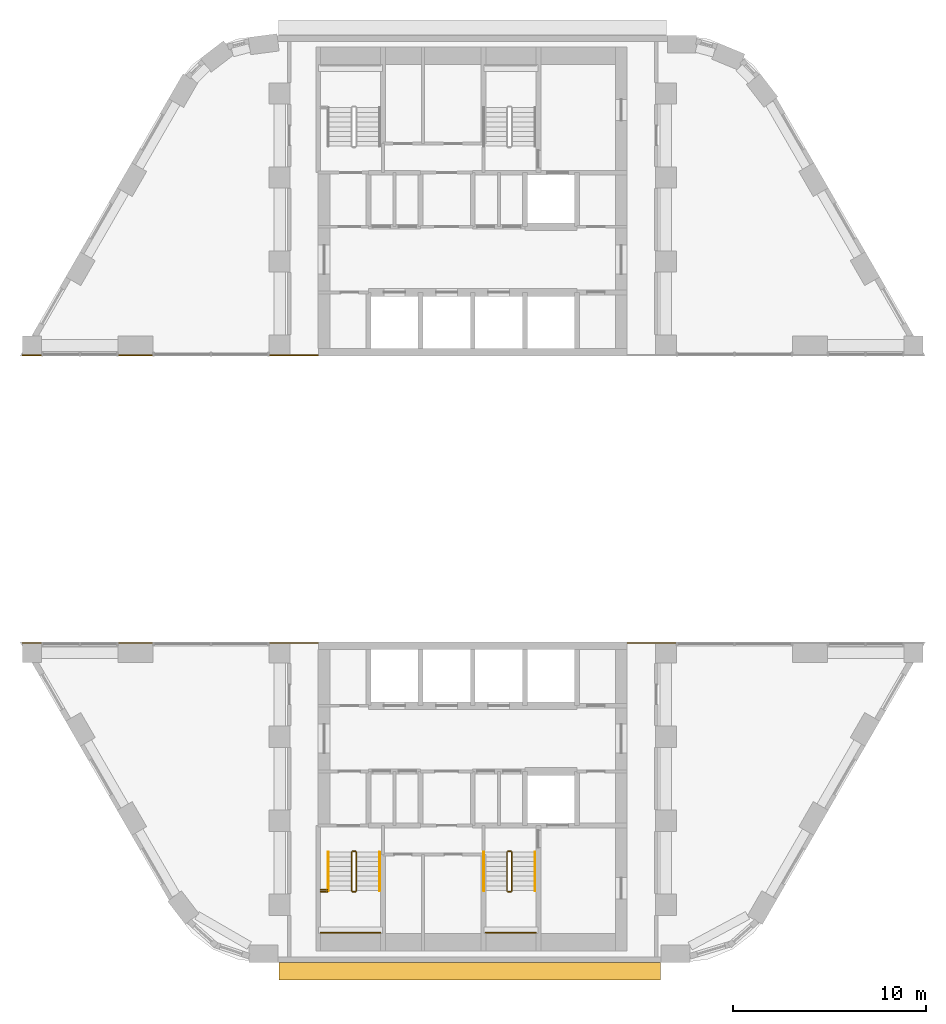
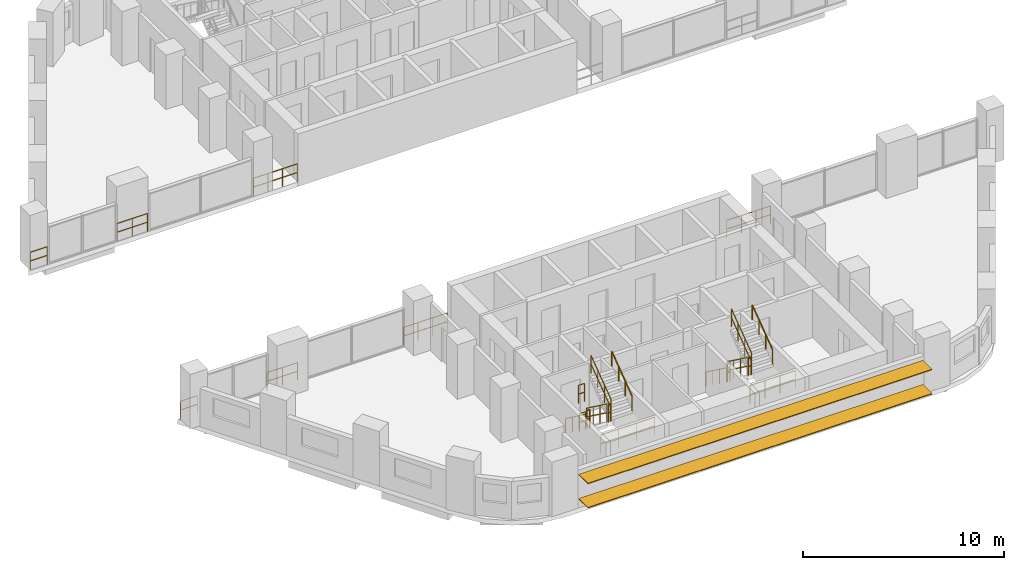
# One storey, part 10 of 11: 23 railings, 2 shading devices.
"""IFC4 building model written with IfcOpenShell, lengths in metres."""

from ifc_helpers import new_model, si_unit, direction, frame, origin, origin_2d, place, context, subcontext, project, spatial, rectangle, circle, extrude, material, material_profile, profile_set, type_object, element, save


model = new_model("IFC4")

# Units and contexts
model_context = context("Model", 3, precision=1e-05, world=origin(), true_north=direction((0.0, 1.0)))
body_context = subcontext(model_context, "Body", "Model", "MODEL_VIEW")
ifc_project = project(units=[si_unit("LENGTHUNIT", "METRE"), si_unit("AREAUNIT", "SQUARE_METRE"), si_unit("VOLUMEUNIT", "CUBIC_METRE"), si_unit("PLANEANGLEUNIT", "RADIAN"), si_unit("MASSUNIT", "GRAM", prefix="KILO")], contexts=[model_context])

# Site, building, storey
site_placement = place(None, origin())
site = spatial("IfcSite", under=ifc_project, at=site_placement, CompositionType="ELEMENT")
building_placement = place(site_placement, origin())
building = spatial("IfcBuilding", under=site, at=building_placement, Name="Nakaniwa Court", CompositionType="ELEMENT")
storey_placement = place(building_placement, frame((0.0, 0.0, 34.800048828125)))
storey = spatial("IfcBuildingStorey", under=building, at=storey_placement, Name="L08", CompositionType="ELEMENT", Elevation=34.800048828125)

# Shading devices
ifc_material_1 = material(Name="Perforated charcoal ceramic louvre blade")
ifc_material_profile = material_profile(ifc_material_1, rectangle(XDim=0.89990234375, YDim=0.050048828125, at=origin_2d()), Name="Perforated ceramic louvre blade")
ifc_profile_set = profile_set([ifc_material_profile], Name="Perforated charcoal ceramic louvre blade")
shading_device_type = type_object("IfcShadingDeviceType", Name="Perforated ceramic louvre blade", PredefinedType="JALOUSIE", material=ifc_profile_set)
for number, where, z_axis, x_axis, name in (
    (1, (69.97119140625, 55.550048828125, 0.550048828125), (1.0, 0.0, 0.0), (0.0, 1.0, 0.0), "L08 perforated ceramic louvre blade w11 1"),
    (2, (69.97119140625, 55.550048828125, 2.014892578125), (1.0, 0.0, 0.0), (0.0, 1.0, 0.0), "L08 perforated ceramic louvre blade w11 2"),
):
    element("IfcShadingDevice", number, at=place(storey_placement, frame(where, z_axis=z_axis, x_axis=x_axis)), inside=storey, type_object=shading_device_type, Name=name, PredefinedType="JALOUSIE", context=body_context, shape_type="SweptSolid", body=[
        extrude(rectangle(XDim=0.89990234375, YDim=0.050048828125, at=origin_2d()), origin(), (0.0, 0.0, 1.0), 19.739990234375),
    ])

# Railings
ifc_material_2 = material(Name="Black powder coated steel guard", Category="steel")
railing_type_1 = type_object("IfcRailingType", Name="Stair guard 1100", PredefinedType="GUARDRAIL", material=ifc_material_2)
railing_1_placement = place(storey_placement, frame((73.72509765625, 61.72509765625, 0.183349609375)))
element("IfcRailing", 3, at=railing_1_placement, inside=storey, type_object=railing_type_1, Name="L08 ST3 stair guard 1", PredefinedType="GUARDRAIL", context=body_context, shape_type="SweptSolid", body=[
    extrude(circle(Radius=0.02392578125, at=origin_2d()), frame((0.0, 0.0, 1.076171875), z_axis=(0.0, -0.806426902644, 0.591333789573), x_axis=(1.0, 0.0, 0.0)), (0.0, 0.0, 1.0), 2.47998046875),
    extrude(circle(Radius=0.02392578125, at=origin_2d()), frame((0.0, 0.0, 0.550048828125), z_axis=(0.0, -0.806426902644, 0.591333789573), x_axis=(1.0, 0.0, 0.0)), (0.0, 0.0, 1.0), 2.47998046875),
    extrude(circle(Radius=0.02099609375, at=origin_2d()), origin(), (0.0, 0.0, 1.0), 1.052001953125),
    extrude(circle(Radius=0.02099609375, at=origin_2d()), frame((0.0, -0.666748046875, 0.48876953125)), (0.0, 0.0, 1.0), 1.052001953125),
    extrude(circle(Radius=0.02099609375, at=origin_2d()), frame((0.0, -1.333251953125, 0.977783203125)), (0.0, 0.0, 1.0), 1.052001953125),
    extrude(circle(Radius=0.02099609375, at=origin_2d()), frame((0.0, -2.0, 1.466552734375)), (0.0, 0.0, 1.0), 1.052001953125),
])
railing_2_placement = place(storey_placement, frame((73.77490234375, 59.675048828125, 1.64990234375)))
element("IfcRailing", 4, at=railing_2_placement, inside=storey, type_object=railing_type_1, Name="L08 ST3 stair guard 2", PredefinedType="GUARDRAIL", context=body_context, shape_type="SweptSolid", body=[
    extrude(circle(Radius=0.02392578125, at=origin_2d()), frame((0.0, 0.0, 1.076171875), z_axis=(1.0, 0.0, 0.0), x_axis=(0.0, 1.0, 0.0)), (0.0, 0.0, 1.0), 0.150146484375),
    extrude(circle(Radius=0.02392578125, at=origin_2d()), frame((0.0, 0.0, 0.550048828125), z_axis=(1.0, 0.0, 0.0), x_axis=(0.0, 1.0, 0.0)), (0.0, 0.0, 1.0), 0.150146484375),
    extrude(circle(Radius=0.02099609375, at=origin_2d()), origin(), (0.0, 0.0, 1.0), 1.052001953125),
    extrude(circle(Radius=0.02099609375, at=origin_2d()), frame((0.150146484375, 0.0, 0.0)), (0.0, 0.0, 1.0), 1.052001953125),
])
railing_3_placement = place(storey_placement, frame((73.97509765625, 59.72509765625, 1.833251953125)))
element("IfcRailing", 5, at=railing_3_placement, inside=storey, type_object=railing_type_1, Name="L08 ST3 stair guard 3", PredefinedType="GUARDRAIL", context=body_context, shape_type="SweptSolid", body=[
    extrude(circle(Radius=0.02392578125, at=origin_2d()), frame((0.0, 0.0, 1.076171875), z_axis=(0.0, 0.806379959628, 0.591397802423), x_axis=(-1.0, 0.0, 0.0)), (0.0, 0.0, 1.0), 2.480224609375),
    extrude(circle(Radius=0.02392578125, at=origin_2d()), frame((0.0, 0.0, 0.550048828125), z_axis=(0.0, 0.806379959628, 0.591397802423), x_axis=(-1.0, 0.0, 0.0)), (0.0, 0.0, 1.0), 2.480224609375),
    extrude(circle(Radius=0.02099609375, at=origin_2d()), origin(), (0.0, 0.0, 1.0), 1.052001953125),
    extrude(circle(Radius=0.02099609375, at=origin_2d()), frame((0.0, 0.666748046875, 0.489013671875)), (0.0, 0.0, 1.0), 1.052001953125),
    extrude(circle(Radius=0.02099609375, at=origin_2d()), frame((0.0, 1.333251953125, 0.977783203125)), (0.0, 0.0, 1.0), 1.052001953125),
    extrude(circle(Radius=0.02099609375, at=origin_2d()), frame((0.0, 2.0, 1.466796875)), (0.0, 0.0, 1.0), 1.052001953125),
])
railing_4_placement = place(storey_placement, frame((73.77490234375, 61.77490234375, 0.0)))
element("IfcRailing", 6, at=railing_4_placement, inside=storey, type_object=railing_type_1, Name="L08 ST3 stair guard 4", PredefinedType="GUARDRAIL", context=body_context, shape_type="SweptSolid", body=[
    extrude(circle(Radius=0.02392578125, at=origin_2d()), frame((0.0, 0.0, 1.076171875), z_axis=(1.0, 0.0, 0.0), x_axis=(0.0, 1.0, 0.0)), (0.0, 0.0, 1.0), 0.150146484375),
    extrude(circle(Radius=0.02392578125, at=origin_2d()), frame((0.0, 0.0, 0.550048828125), z_axis=(1.0, 0.0, 0.0), x_axis=(0.0, 1.0, 0.0)), (0.0, 0.0, 1.0), 0.150146484375),
    extrude(circle(Radius=0.02099609375, at=origin_2d()), origin(), (0.0, 0.0, 1.0), 1.052001953125),
    extrude(circle(Radius=0.02099609375, at=origin_2d()), frame((0.150146484375, 0.0, 0.0)), (0.0, 0.0, 1.0), 1.052001953125),
])
railing_5_placement = place(storey_placement, frame((72.125, 57.550048828125, 1.64990234375)))
element("IfcRailing", 7, at=railing_5_placement, inside=storey, type_object=railing_type_1, Name="L08 ST3 landing end guard 1", PredefinedType="GUARDRAIL", context=body_context, shape_type="SweptSolid", body=[
    extrude(circle(Radius=0.02392578125, at=origin_2d()), frame((0.0, 0.0, 1.076171875), z_axis=(1.0, 0.0, 0.0), x_axis=(0.0, 1.0, 0.0)), (0.0, 0.0, 1.0), 3.10009765625),
    extrude(circle(Radius=0.02392578125, at=origin_2d()), frame((0.0, 0.0, 0.550048828125), z_axis=(1.0, 0.0, 0.0), x_axis=(0.0, 1.0, 0.0)), (0.0, 0.0, 1.0), 3.10009765625),
    extrude(circle(Radius=0.02099609375, at=origin_2d()), origin(), (0.0, 0.0, 1.0), 1.052001953125),
    extrude(circle(Radius=0.02099609375, at=origin_2d()), frame((1.033447265625, 0.0, 0.0)), (0.0, 0.0, 1.0), 1.052001953125),
    extrude(circle(Radius=0.02099609375, at=origin_2d()), frame((2.066650390625, 0.0, 0.0)), (0.0, 0.0, 1.0), 1.052001953125),
    extrude(circle(Radius=0.02099609375, at=origin_2d()), frame((3.10009765625, 0.0, 0.0)), (0.0, 0.0, 1.0), 1.052001953125),
])
for number, where, name in (
    (8, (72.125, 59.675048828125, 1.64990234375), "L08 ST3 landing side guard 1W"),
    (9, (72.125, 59.77490234375, 3.300048828125), "L08 ST3 floor edge guard 1W"),
):
    element("IfcRailing", number, at=place(storey_placement, frame(where)), inside=storey, type_object=railing_type_1, Name=name, PredefinedType="GUARDRAIL", context=body_context, shape_type="SweptSolid", body=[
        extrude(circle(Radius=0.02392578125, at=origin_2d()), frame((0.0, 0.0, 1.076171875), z_axis=(1.0, 0.0, 0.0), x_axis=(0.0, 1.0, 0.0)), (0.0, 0.0, 1.0), 0.35009765625),
        extrude(circle(Radius=0.02392578125, at=origin_2d()), frame((0.0, 0.0, 0.550048828125), z_axis=(1.0, 0.0, 0.0), x_axis=(0.0, 1.0, 0.0)), (0.0, 0.0, 1.0), 0.35009765625),
        extrude(circle(Radius=0.02099609375, at=origin_2d()), origin(), (0.0, 0.0, 1.0), 1.052001953125),
        extrude(circle(Radius=0.02099609375, at=origin_2d()), frame((0.35009765625, 0.0, 0.0)), (0.0, 0.0, 1.0), 1.052001953125),
    ])
railing_6_placement = place(storey_placement, frame((81.77490234375, 61.72509765625, 0.183349609375)))
element("IfcRailing", 10, at=railing_6_placement, inside=storey, type_object=railing_type_1, Name="L08 ST4 stair guard 1", PredefinedType="GUARDRAIL", context=body_context, shape_type="SweptSolid", body=[
    extrude(circle(Radius=0.02392578125, at=origin_2d()), frame((0.0, 0.0, 1.076171875), z_axis=(0.0, -0.806426902644, 0.591333789573), x_axis=(1.0, 0.0, 0.0)), (0.0, 0.0, 1.0), 2.47998046875),
    extrude(circle(Radius=0.02392578125, at=origin_2d()), frame((0.0, 0.0, 0.550048828125), z_axis=(0.0, -0.806426902644, 0.591333789573), x_axis=(1.0, 0.0, 0.0)), (0.0, 0.0, 1.0), 2.47998046875),
    extrude(circle(Radius=0.02099609375, at=origin_2d()), origin(), (0.0, 0.0, 1.0), 1.052001953125),
    extrude(circle(Radius=0.02099609375, at=origin_2d()), frame((0.0, -0.666748046875, 0.48876953125)), (0.0, 0.0, 1.0), 1.052001953125),
    extrude(circle(Radius=0.02099609375, at=origin_2d()), frame((0.0, -1.333251953125, 0.977783203125)), (0.0, 0.0, 1.0), 1.052001953125),
    extrude(circle(Radius=0.02099609375, at=origin_2d()), frame((0.0, -2.0, 1.466552734375)), (0.0, 0.0, 1.0), 1.052001953125),
])
railing_7_placement = place(storey_placement, frame((81.824951171875, 59.675048828125, 1.64990234375)))
element("IfcRailing", 11, at=railing_7_placement, inside=storey, type_object=railing_type_1, Name="L08 ST4 stair guard 2", PredefinedType="GUARDRAIL", context=body_context, shape_type="SweptSolid", body=[
    extrude(circle(Radius=0.02392578125, at=origin_2d()), frame((0.0, 0.0, 1.076171875), z_axis=(1.0, 0.0, 0.0), x_axis=(0.0, 1.0, 0.0)), (0.0, 0.0, 1.0), 0.150146484375),
    extrude(circle(Radius=0.02392578125, at=origin_2d()), frame((0.0, 0.0, 0.550048828125), z_axis=(1.0, 0.0, 0.0), x_axis=(0.0, 1.0, 0.0)), (0.0, 0.0, 1.0), 0.150146484375),
    extrude(circle(Radius=0.02099609375, at=origin_2d()), origin(), (0.0, 0.0, 1.0), 1.052001953125),
    extrude(circle(Radius=0.02099609375, at=origin_2d()), frame((0.150146484375, 0.0, 0.0)), (0.0, 0.0, 1.0), 1.052001953125),
])
railing_8_placement = place(storey_placement, frame((82.02490234375, 59.72509765625, 1.833251953125)))
element("IfcRailing", 12, at=railing_8_placement, inside=storey, type_object=railing_type_1, Name="L08 ST4 stair guard 3", PredefinedType="GUARDRAIL", context=body_context, shape_type="SweptSolid", body=[
    extrude(circle(Radius=0.02392578125, at=origin_2d()), frame((0.0, 0.0, 1.076171875), z_axis=(0.0, 0.806379959628, 0.591397802423), x_axis=(-1.0, 0.0, 0.0)), (0.0, 0.0, 1.0), 2.480224609375),
    extrude(circle(Radius=0.02392578125, at=origin_2d()), frame((0.0, 0.0, 0.550048828125), z_axis=(0.0, 0.806379959628, 0.591397802423), x_axis=(-1.0, 0.0, 0.0)), (0.0, 0.0, 1.0), 2.480224609375),
    extrude(circle(Radius=0.02099609375, at=origin_2d()), origin(), (0.0, 0.0, 1.0), 1.052001953125),
    extrude(circle(Radius=0.02099609375, at=origin_2d()), frame((0.0, 0.666748046875, 0.489013671875)), (0.0, 0.0, 1.0), 1.052001953125),
    extrude(circle(Radius=0.02099609375, at=origin_2d()), frame((0.0, 1.333251953125, 0.977783203125)), (0.0, 0.0, 1.0), 1.052001953125),
    extrude(circle(Radius=0.02099609375, at=origin_2d()), frame((0.0, 2.0, 1.466796875)), (0.0, 0.0, 1.0), 1.052001953125),
])
railing_9_placement = place(storey_placement, frame((81.824951171875, 61.77490234375, 0.0)))
element("IfcRailing", 13, at=railing_9_placement, inside=storey, type_object=railing_type_1, Name="L08 ST4 stair guard 4", PredefinedType="GUARDRAIL", context=body_context, shape_type="SweptSolid", body=[
    extrude(circle(Radius=0.02392578125, at=origin_2d()), frame((0.0, 0.0, 1.076171875), z_axis=(1.0, 0.0, 0.0), x_axis=(0.0, 1.0, 0.0)), (0.0, 0.0, 1.0), 0.150146484375),
    extrude(circle(Radius=0.02392578125, at=origin_2d()), frame((0.0, 0.0, 0.550048828125), z_axis=(1.0, 0.0, 0.0), x_axis=(0.0, 1.0, 0.0)), (0.0, 0.0, 1.0), 0.150146484375),
    extrude(circle(Radius=0.02099609375, at=origin_2d()), origin(), (0.0, 0.0, 1.0), 1.052001953125),
    extrude(circle(Radius=0.02099609375, at=origin_2d()), frame((0.150146484375, 0.0, 0.0)), (0.0, 0.0, 1.0), 1.052001953125),
])
railing_10_placement = place(storey_placement, frame((80.675048828125, 57.550048828125, 1.64990234375)))
element("IfcRailing", 14, at=railing_10_placement, inside=storey, type_object=railing_type_1, Name="L08 ST4 landing end guard 1", PredefinedType="GUARDRAIL", context=body_context, shape_type="SweptSolid", body=[
    extrude(circle(Radius=0.02392578125, at=origin_2d()), frame((0.0, 0.0, 1.076171875), z_axis=(1.0, 0.0, 0.0), x_axis=(0.0, 1.0, 0.0)), (0.0, 0.0, 1.0), 2.599853515625),
    extrude(circle(Radius=0.02392578125, at=origin_2d()), frame((0.0, 0.0, 0.550048828125), z_axis=(1.0, 0.0, 0.0), x_axis=(0.0, 1.0, 0.0)), (0.0, 0.0, 1.0), 2.599853515625),
    extrude(circle(Radius=0.02099609375, at=origin_2d()), origin(), (0.0, 0.0, 1.0), 1.052001953125),
    extrude(circle(Radius=0.02099609375, at=origin_2d()), frame((0.86669921875, 0.0, 0.0)), (0.0, 0.0, 1.0), 1.052001953125),
    extrude(circle(Radius=0.02099609375, at=origin_2d()), frame((1.733154296875, 0.0, 0.0)), (0.0, 0.0, 1.0), 1.052001953125),
    extrude(circle(Radius=0.02099609375, at=origin_2d()), frame((2.599853515625, 0.0, 0.0)), (0.0, 0.0, 1.0), 1.052001953125),
])
railing_11_placement = place(storey_placement, frame((56.68896484375, 72.550048828125, 0.0)))
element("IfcRailing", 15, at=railing_11_placement, inside=storey, type_object=railing_type_1, Name="GUARD GD-L08-125", PredefinedType="GUARDRAIL", context=body_context, shape_type="SweptSolid", body=[
    extrude(circle(Radius=0.02392578125, at=origin_2d()), frame((0.0, 0.0, 1.076171875), z_axis=(1.0, 0.0, 0.0), x_axis=(0.0, 1.0, 0.0)), (0.0, 0.0, 1.0), 0.968017578125),
    extrude(circle(Radius=0.02392578125, at=origin_2d()), frame((0.0, 0.0, 0.550048828125), z_axis=(1.0, 0.0, 0.0), x_axis=(0.0, 1.0, 0.0)), (0.0, 0.0, 1.0), 0.968017578125),
    extrude(circle(Radius=0.02099609375, at=origin_2d()), origin(), (0.0, 0.0, 1.0), 1.052001953125),
    extrude(circle(Radius=0.02099609375, at=origin_2d()), frame((0.968017578125, 0.0, 0.0)), (0.0, 0.0, 1.0), 1.052001953125),
])
railing_12_placement = place(storey_placement, frame((61.65625, 72.550048828125, 0.0)))
element("IfcRailing", 16, at=railing_12_placement, inside=storey, type_object=railing_type_1, Name="GUARD GD-L08-126", PredefinedType="GUARDRAIL", context=body_context, shape_type="SweptSolid", body=[
    extrude(circle(Radius=0.02392578125, at=origin_2d()), frame((0.0, 0.0, 1.076171875), z_axis=(1.0, 0.0, 0.0), x_axis=(0.0, 1.0, 0.0)), (0.0, 0.0, 1.0), 1.75634765625),
    extrude(circle(Radius=0.02392578125, at=origin_2d()), frame((0.0, 0.0, 0.550048828125), z_axis=(1.0, 0.0, 0.0), x_axis=(0.0, 1.0, 0.0)), (0.0, 0.0, 1.0), 1.75634765625),
    extrude(circle(Radius=0.02099609375, at=origin_2d()), origin(), (0.0, 0.0, 1.0), 1.052001953125),
    extrude(circle(Radius=0.02099609375, at=origin_2d()), frame((0.878173828125, 0.0, 0.0)), (0.0, 0.0, 1.0), 1.052001953125),
    extrude(circle(Radius=0.02099609375, at=origin_2d()), frame((1.75634765625, 0.0, 0.0)), (0.0, 0.0, 1.0), 1.052001953125),
])
for number, where, name in (
    (17, (69.47607421875, 72.550048828125, 0.0), "GUARD GD-L08-127"),
    (18, (88.009033203125, 72.550048828125, 0.0), "GUARD GD-L08-128"),
):
    element("IfcRailing", number, at=place(storey_placement, frame(where)), inside=storey, type_object=railing_type_1, Name=name, PredefinedType="GUARDRAIL", context=body_context, shape_type="SweptSolid", body=[
        extrude(circle(Radius=0.02392578125, at=origin_2d()), frame((0.0, 0.0, 1.076171875), z_axis=(1.0, 0.0, 0.0), x_axis=(0.0, 1.0, 0.0)), (0.0, 0.0, 1.0), 2.514892578125),
        extrude(circle(Radius=0.02392578125, at=origin_2d()), frame((0.0, 0.0, 0.550048828125), z_axis=(1.0, 0.0, 0.0), x_axis=(0.0, 1.0, 0.0)), (0.0, 0.0, 1.0), 2.514892578125),
        extrude(circle(Radius=0.02099609375, at=origin_2d()), origin(), (0.0, 0.0, 1.0), 1.052001953125),
        extrude(circle(Radius=0.02099609375, at=origin_2d()), frame((0.83837890625, 0.0, 0.0)), (0.0, 0.0, 1.0), 1.052001953125),
        extrude(circle(Radius=0.02099609375, at=origin_2d()), frame((1.676513671875, 0.0, 0.0)), (0.0, 0.0, 1.0), 1.052001953125),
        extrude(circle(Radius=0.02099609375, at=origin_2d()), frame((2.514892578125, 0.0, 0.0)), (0.0, 0.0, 1.0), 1.052001953125),
    ])
railing_13_placement = place(storey_placement, frame((71.990966796875, 87.449951171875, 0.0)))
element("IfcRailing", 19, at=railing_13_placement, inside=storey, type_object=railing_type_1, Name="GUARD GD-L08-134", PredefinedType="GUARDRAIL", context=body_context, shape_type="SweptSolid", body=[
    extrude(circle(Radius=0.02392578125, at=origin_2d()), frame((0.0, 0.0, 1.076171875), z_axis=(-1.0, 0.0, 0.0), x_axis=(0.0, -1.0, 0.0)), (0.0, 0.0, 1.0), 2.514892578125),
    extrude(circle(Radius=0.02392578125, at=origin_2d()), frame((0.0, 0.0, 0.550048828125), z_axis=(-1.0, 0.0, 0.0), x_axis=(0.0, -1.0, 0.0)), (0.0, 0.0, 1.0), 2.514892578125),
    extrude(circle(Radius=0.02099609375, at=origin_2d()), origin(), (0.0, 0.0, 1.0), 1.052001953125),
    extrude(circle(Radius=0.02099609375, at=origin_2d()), frame((-0.83837890625, 0.0, 0.0)), (0.0, 0.0, 1.0), 1.052001953125),
    extrude(circle(Radius=0.02099609375, at=origin_2d()), frame((-1.676513671875, 0.0, 0.0)), (0.0, 0.0, 1.0), 1.052001953125),
    extrude(circle(Radius=0.02099609375, at=origin_2d()), frame((-2.514892578125, 0.0, 0.0)), (0.0, 0.0, 1.0), 1.052001953125),
])
railing_14_placement = place(storey_placement, frame((63.41259765625, 87.449951171875, 0.0)))
element("IfcRailing", 20, at=railing_14_placement, inside=storey, type_object=railing_type_1, Name="GUARD GD-L08-135", PredefinedType="GUARDRAIL", context=body_context, shape_type="SweptSolid", body=[
    extrude(circle(Radius=0.02392578125, at=origin_2d()), frame((0.0, 0.0, 1.076171875), z_axis=(-1.0, 0.0, 0.0), x_axis=(0.0, -1.0, 0.0)), (0.0, 0.0, 1.0), 1.75634765625),
    extrude(circle(Radius=0.02392578125, at=origin_2d()), frame((0.0, 0.0, 0.550048828125), z_axis=(-1.0, 0.0, 0.0), x_axis=(0.0, -1.0, 0.0)), (0.0, 0.0, 1.0), 1.75634765625),
    extrude(circle(Radius=0.02099609375, at=origin_2d()), origin(), (0.0, 0.0, 1.0), 1.052001953125),
    extrude(circle(Radius=0.02099609375, at=origin_2d()), frame((-0.878173828125, 0.0, 0.0)), (0.0, 0.0, 1.0), 1.052001953125),
    extrude(circle(Radius=0.02099609375, at=origin_2d()), frame((-1.75634765625, 0.0, 0.0)), (0.0, 0.0, 1.0), 1.052001953125),
])
railing_15_placement = place(storey_placement, frame((57.656982421875, 87.449951171875, 0.0)))
element("IfcRailing", 21, at=railing_15_placement, inside=storey, type_object=railing_type_1, Name="GUARD GD-L08-136", PredefinedType="GUARDRAIL", context=body_context, shape_type="SweptSolid", body=[
    extrude(circle(Radius=0.02392578125, at=origin_2d()), frame((0.0, 0.0, 1.076171875), z_axis=(-1.0, 0.0, 0.0), x_axis=(0.0, -1.0, 0.0)), (0.0, 0.0, 1.0), 0.968017578125),
    extrude(circle(Radius=0.02392578125, at=origin_2d()), frame((0.0, 0.0, 0.550048828125), z_axis=(-1.0, 0.0, 0.0), x_axis=(0.0, -1.0, 0.0)), (0.0, 0.0, 1.0), 0.968017578125),
    extrude(circle(Radius=0.02099609375, at=origin_2d()), origin(), (0.0, 0.0, 1.0), 1.052001953125),
    extrude(circle(Radius=0.02099609375, at=origin_2d()), frame((-0.968017578125, 0.0, 0.0)), (0.0, 0.0, 1.0), 1.052001953125),
])
ifc_material_3 = material(Name="Black powder coated steel handrail", Category="steel")
railing_type_2 = type_object("IfcRailingType", Name="Stair handrail 900", PredefinedType="HANDRAIL", material=ifc_material_3)
railing_16_placement = place(storey_placement, frame((72.52490234375, 61.72509765625, 0.183349609375)))
element("IfcRailing", 22, at=railing_16_placement, inside=storey, type_object=railing_type_2, Name="L08 ST3 stair handrail 1", PredefinedType="HANDRAIL", context=body_context, shape_type="SweptSolid", body=[
    extrude(circle(Radius=0.02392578125, at=origin_2d()), frame((0.0, 0.0, 0.8759765625), z_axis=(0.0, -0.806426902644, 0.591333789573), x_axis=(1.0, 0.0, 0.0)), (0.0, 0.0, 1.0), 2.47998046875),
    extrude(circle(Radius=0.02099609375, at=origin_2d()), origin(), (0.0, 0.0, 1.0), 0.851806640625),
    extrude(circle(Radius=0.02099609375, at=origin_2d()), frame((0.0, -0.666748046875, 0.48876953125)), (0.0, 0.0, 1.0), 0.851806640625),
    extrude(circle(Radius=0.02099609375, at=origin_2d()), frame((0.0, -1.333251953125, 0.977783203125)), (0.0, 0.0, 1.0), 0.851806640625),
    extrude(circle(Radius=0.02099609375, at=origin_2d()), frame((0.0, -2.0, 1.466552734375)), (0.0, 0.0, 1.0), 0.851806640625),
])
railing_17_placement = place(storey_placement, frame((75.175048828125, 59.72509765625, 1.833251953125)))
element("IfcRailing", 23, at=railing_17_placement, inside=storey, type_object=railing_type_2, Name="L08 ST3 stair handrail 2", PredefinedType="HANDRAIL", context=body_context, shape_type="SweptSolid", body=[
    extrude(circle(Radius=0.02392578125, at=origin_2d()), frame((0.0, 0.0, 0.8759765625), z_axis=(0.0, 0.806379959628, 0.591397802423), x_axis=(-1.0, 0.0, 0.0)), (0.0, 0.0, 1.0), 2.480224609375),
    extrude(circle(Radius=0.02099609375, at=origin_2d()), origin(), (0.0, 0.0, 1.0), 0.851806640625),
    extrude(circle(Radius=0.02099609375, at=origin_2d()), frame((0.0, 0.666748046875, 0.489013671875)), (0.0, 0.0, 1.0), 0.851806640625),
    extrude(circle(Radius=0.02099609375, at=origin_2d()), frame((0.0, 1.333251953125, 0.977783203125)), (0.0, 0.0, 1.0), 0.851806640625),
    extrude(circle(Radius=0.02099609375, at=origin_2d()), frame((0.0, 2.0, 1.466796875)), (0.0, 0.0, 1.0), 0.851806640625),
])
railing_18_placement = place(storey_placement, frame((80.574951171875, 61.72509765625, 0.183349609375)))
element("IfcRailing", 24, at=railing_18_placement, inside=storey, type_object=railing_type_2, Name="L08 ST4 stair handrail 1", PredefinedType="HANDRAIL", context=body_context, shape_type="SweptSolid", body=[
    extrude(circle(Radius=0.02392578125, at=origin_2d()), frame((0.0, 0.0, 0.8759765625), z_axis=(0.0, -0.806426902644, 0.591333789573), x_axis=(1.0, 0.0, 0.0)), (0.0, 0.0, 1.0), 2.47998046875),
    extrude(circle(Radius=0.02099609375, at=origin_2d()), origin(), (0.0, 0.0, 1.0), 0.851806640625),
    extrude(circle(Radius=0.02099609375, at=origin_2d()), frame((0.0, -0.666748046875, 0.48876953125)), (0.0, 0.0, 1.0), 0.851806640625),
    extrude(circle(Radius=0.02099609375, at=origin_2d()), frame((0.0, -1.333251953125, 0.977783203125)), (0.0, 0.0, 1.0), 0.851806640625),
    extrude(circle(Radius=0.02099609375, at=origin_2d()), frame((0.0, -2.0, 1.466552734375)), (0.0, 0.0, 1.0), 0.851806640625),
])
railing_19_placement = place(storey_placement, frame((83.22509765625, 59.72509765625, 1.833251953125)))
element("IfcRailing", 25, at=railing_19_placement, inside=storey, type_object=railing_type_2, Name="L08 ST4 stair handrail 2", PredefinedType="HANDRAIL", context=body_context, shape_type="SweptSolid", body=[
    extrude(circle(Radius=0.02392578125, at=origin_2d()), frame((0.0, 0.0, 0.8759765625), z_axis=(0.0, 0.806379959628, 0.591397802423), x_axis=(-1.0, 0.0, 0.0)), (0.0, 0.0, 1.0), 2.480224609375),
    extrude(circle(Radius=0.02099609375, at=origin_2d()), origin(), (0.0, 0.0, 1.0), 0.851806640625),
    extrude(circle(Radius=0.02099609375, at=origin_2d()), frame((0.0, 0.666748046875, 0.489013671875)), (0.0, 0.0, 1.0), 0.851806640625),
    extrude(circle(Radius=0.02099609375, at=origin_2d()), frame((0.0, 1.333251953125, 0.977783203125)), (0.0, 0.0, 1.0), 0.851806640625),
    extrude(circle(Radius=0.02099609375, at=origin_2d()), frame((0.0, 2.0, 1.466796875)), (0.0, 0.0, 1.0), 0.851806640625),
])

save(model, "model.ifc")
